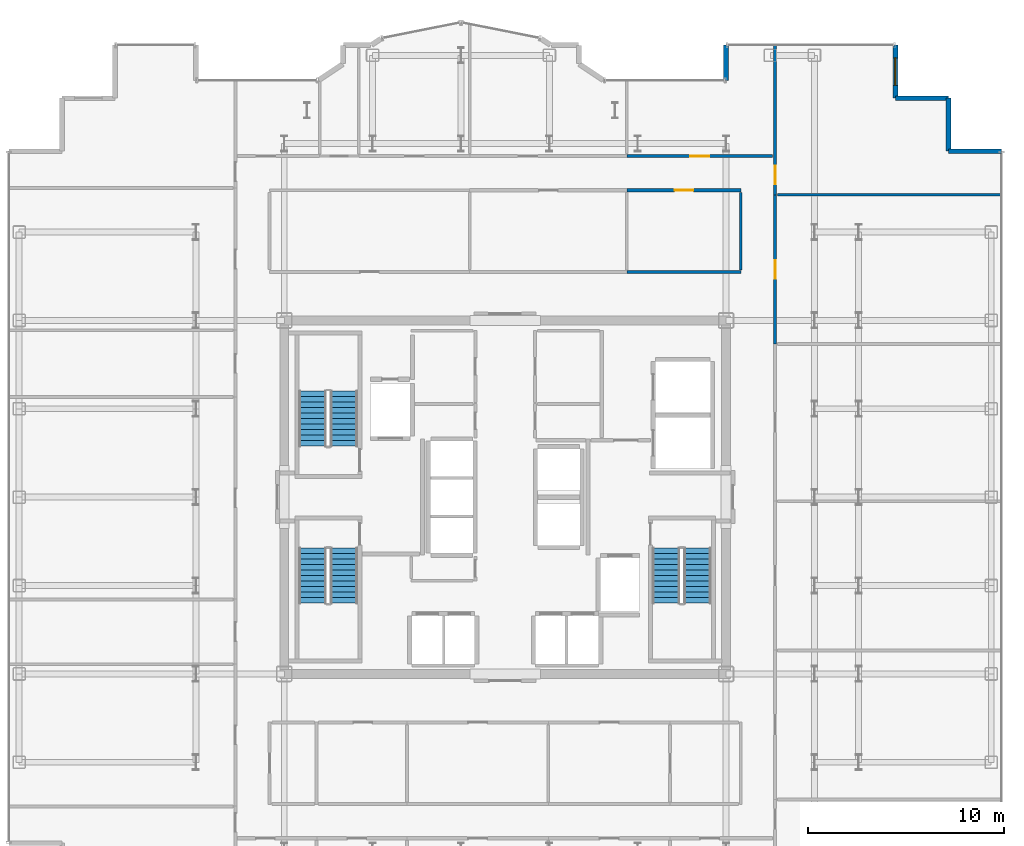
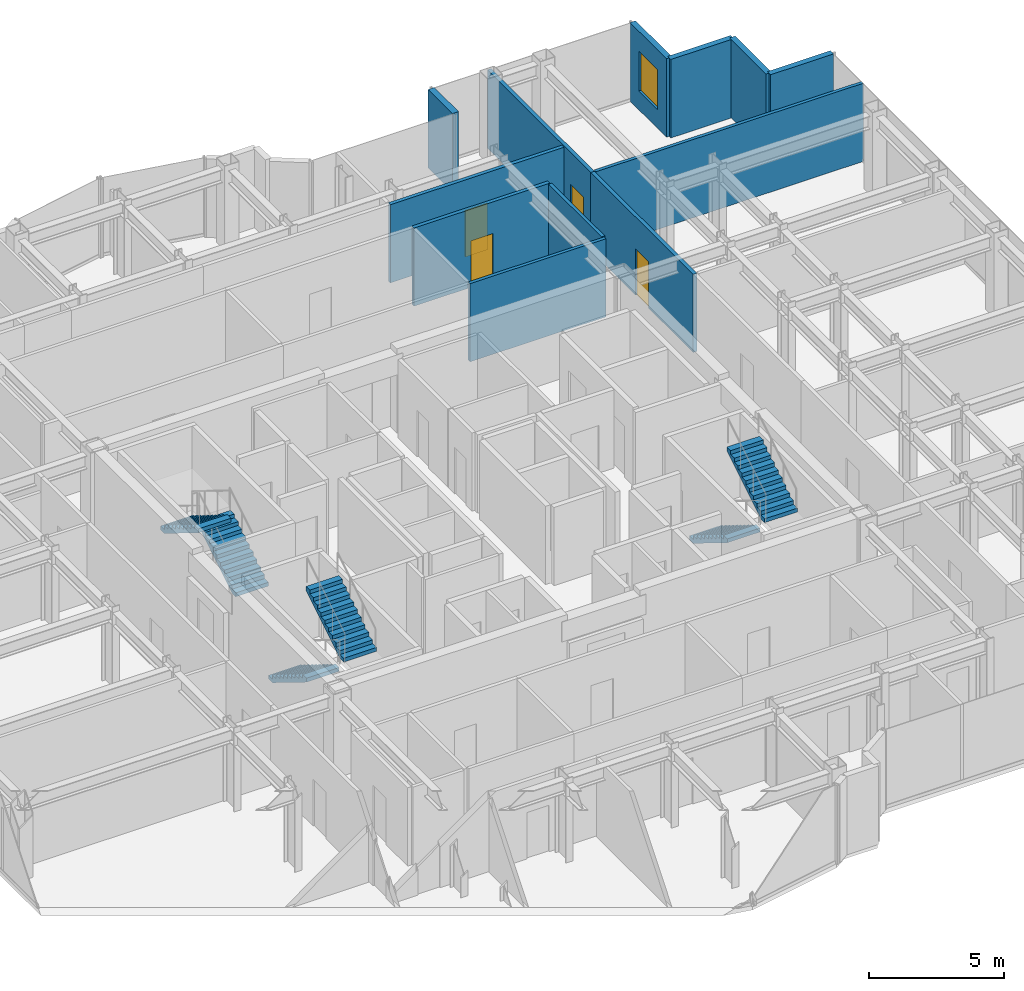
# One storey, part 19 of 20: 12 walls, 6 stair flights, 4 doors, 1 window, 5 openings, 3 elements without a shape of their own.
"""IFC4 building model written with IfcOpenShell, lengths in metres."""

from ifc_helpers import new_model, si_unit, direction, frame, frame_2d, origin, place, context, subcontext, project, spatial, polyline, rectangle, outline, extrude, source, transform, mapped, material, layer, layer_set, type_object, element, fill, aggregate, save


model = new_model("IFC4")

# Units and contexts
model_context = context("Model", 3, precision=1e-05, world=origin(), true_north=direction((0.0, 1.0)))
body_context = subcontext(model_context, "Body", "Model", "MODEL_VIEW")
ifc_project = project(units=[si_unit("LENGTHUNIT", "METRE"), si_unit("AREAUNIT", "SQUARE_METRE"), si_unit("VOLUMEUNIT", "CUBIC_METRE"), si_unit("PLANEANGLEUNIT", "RADIAN"), si_unit("MASSUNIT", "GRAM", prefix="KILO")], contexts=[model_context])

# Site, building, storey
site_placement = place(None, origin())
site = spatial("IfcSite", under=ifc_project, at=site_placement, CompositionType="ELEMENT")
building_placement = place(site_placement, origin())
building = spatial("IfcBuilding", under=site, at=building_placement, Name="Nefas-Gora Pilgrimage Tower", CompositionType="ELEMENT")
storey_placement = place(building_placement, frame((0.0, 0.0, 237.0)))
storey = spatial("IfcBuildingStorey", under=building, at=storey_placement, Name="L59", CompositionType="ELEMENT", Elevation=237.0)

# Walls
ifc_material_1 = material(Name="Precast concrete C40/50", Category="concrete")
ifc_layer_1 = layer(ifc_material_1, 0.260009765625)
ifc_layer_set_1 = layer_set([ifc_layer_1], Name="Precast concrete C40/50")
wall_type_1 = type_object("IfcWallType", Name="EW-PORTAL-260", PredefinedType="SOLIDWALL", material=ifc_layer_set_1)
shared_shape_1 = source(origin(), body_context, "Body", "SweptSolid", [
    extrude(rectangle(XDim=1.800048828125, YDim=0.260009765625, at=frame_2d((0.89990234375, 0.0))), origin(), (0.0, 0.0, 1.0), 3.550048828125),
])
wall_1_placement = place(storey_placement, frame((11.25, 23.02001953125, 0.0), z_axis=(0.0, 0.0, 1.0), x_axis=(0.0, -1.0, 0.0)))
element("IfcWall", 1, at=wall_1_placement, inside=storey, type_object=wall_type_1, Name="L59 Lobe Shoulder Precast Spandrel Pier 10", PredefinedType="SOLIDWALL", context=body_context, shape_type="MappedRepresentation", body=[
    mapped(shared_shape_1, transform((0.0, 0.0, 0.0), x_axis=(1.0, 0.0, 0.0), y_axis=(0.0, 1.0, 0.0), z_axis=(0.0, 0.0, 1.0), scale=1.0)),
])
ifc_material_2 = material(Name="Precast concrete C45/55", Category="concrete")
ifc_layer_2 = layer(ifc_material_2, 0.239990234375)
ifc_layer_set_2 = layer_set([ifc_layer_2], Name="Precast concrete C45/55")
wall_type_2 = type_object("IfcWallType", Name="EW-SERR-240", PredefinedType="SHEAR", material=ifc_layer_set_2)
shared_shape_2 = source(origin(), body_context, "Body", "SweptSolid", [
    extrude(rectangle(XDim=2.699951171875, YDim=0.239990234375, at=frame_2d((1.35009765625, 0.0))), origin(), (0.0, 0.0, 1.0), 3.550048828125),
])
for number, where, z_axis, x_axis, name in (
    (2, (25.27001953125, 17.6201171875, 0.0), (0.0, 0.0, 1.0), (-1.0, 0.0, 0.0), "L59 Serrated Corner Shear Pier Wall 6"),
    (3, (22.570068359375, 17.6201171875, 0.0), (0.0, 0.0, 1.0), (0.0, 1.0, 0.0), "L59 Serrated Corner Shear Pier Wall 7"),
    (4, (22.570068359375, 20.320068359375, 0.0), (0.0, 0.0, 1.0), (-1.0, 0.0, 0.0), "L59 Serrated Corner Shear Pier Wall 8"),
):
    element("IfcWall", number, at=place(storey_placement, frame(where, z_axis=z_axis, x_axis=x_axis)), inside=storey, type_object=wall_type_2, Name=name, PredefinedType="SHEAR", context=body_context, shape_type="MappedRepresentation", body=[
        mapped(shared_shape_2, transform((0.0, 0.0, 0.0), x_axis=(1.0, 0.0, 0.0), y_axis=(0.0, 1.0, 0.0), z_axis=(0.0, 0.0, 1.0), scale=1.0)),
    ])

# Wall, opening, window
wall_2_placement = place(storey_placement, frame((19.8701171875, 20.320068359375, 0.0), z_axis=(0.0, 0.0, 1.0), x_axis=(0.0, 1.0, 0.0)))
wall_2 = element("IfcWall", 5, at=wall_2_placement, inside=storey, type_object=wall_type_2, Name="L59 Serrated Corner Shear Pier Wall 9", PredefinedType="SHEAR", context=body_context, shape_type="MappedRepresentation", body=[
    mapped(shared_shape_2, transform((0.0, 0.0, 0.0), x_axis=(1.0, 0.0, 0.0), y_axis=(0.0, 1.0, 0.0), z_axis=(0.0, 0.0, 1.0), scale=1.0)),
])
opening_1_placement = place(wall_2_placement, frame((0.64990234375, 0.0, 0.85009765625)))
opening_1 = element("IfcOpeningElement", 6, at=opening_1_placement, cuts=wall_2, Name="Opening W-V2", PredefinedType="OPENING", context=body_context, shape_type="SweptSolid", body=[
    extrude(rectangle(XDim=1.39990234375, YDim=1.800048828125, at=frame_2d((0.699951171875, 0.89990234375))), frame((0.0, 0.1298828125, 0.0), z_axis=(0.0, -1.0, 0.0), x_axis=(1.0, 0.0, 0.0)), (0.0, 0.0, 1.0), 0.260009765625),
])
ifc_material_3 = material(Name="Dark ceramic-fritted operable aluminium-glass window", Category="aluminium")
window_type = type_object("IfcWindowType", Name="WIN-VENT-1400x1800", PartitioningType="SINGLE_PANEL", PredefinedType="WINDOW", material=ifc_material_3)
shared_shape_3 = source(origin(), body_context, "Body", "SweptSolid", [
    extrude(rectangle(XDim=1.39990234375, YDim=1.800048828125, at=frame_2d((0.699951171875, 0.89990234375))), frame((0.0, 0.030029296875, 0.0), z_axis=(0.0, -1.0, 0.0), x_axis=(1.0, 0.0, 0.0)), (0.0, 0.0, 1.0), 0.06005859375),
])
window_placement = place(opening_1_placement, origin())
window = element("IfcWindow", 7, at=window_placement, inside=storey, type_object=window_type, Name="L59 Operable Parallel-Outswing Window 9", OverallHeight=1.800048828125, OverallWidth=1.39990234375, PartitioningType="SINGLE_PANEL", PredefinedType="WINDOW", context=body_context, shape_type="MappedRepresentation", body=[
    mapped(shared_shape_3, transform((0.0, 0.0, 0.0), x_axis=(1.0, 0.0, 0.0), y_axis=(0.0, 1.0, 0.0), z_axis=(0.0, 0.0, 1.0), scale=1.0)),
])
fill(opening_1, window)

# Walls
ifc_material_4 = material(Name="Gypsum twin-stud partition")
ifc_layer_3 = layer(ifc_material_4, 0.139892578125)
ifc_layer_set_3 = layer_set([ifc_layer_3], Name="Gypsum twin-stud partition")
wall_type_3 = type_object("IfcWallType", Name="IW-UNIT-140", PredefinedType="PARTITIONING", material=ifc_layer_set_3)
shared_shape_4 = source(origin(), body_context, "Body", "SweptSolid", [
    extrude(rectangle(XDim=11.429931640625, YDim=0.139892578125, at=frame_2d((5.71484375, 0.0))), origin(), (0.0, 0.0, 1.0), 3.534912109375),
])
wall_3_placement = place(storey_placement, frame((13.860107421875, 15.3974609375, 0.0), z_axis=(0.0, 0.0, 1.0), x_axis=(1.0, 0.0, 0.0)))
element("IfcWall", 8, at=wall_3_placement, inside=storey, type_object=wall_type_3, Name="L59 Pilgrim Contemplative Lounge Partition Wall 54", PredefinedType="PARTITIONING", context=body_context, shape_type="MappedRepresentation", body=[
    mapped(shared_shape_4, transform((0.0, 0.0, 0.0), x_axis=(1.0, 0.0, 0.0), y_axis=(0.0, 1.0, 0.0), z_axis=(0.0, 0.0, 1.0), scale=1.0)),
])
shared_shape_5 = source(origin(), body_context, "Body", "SweptSolid", [
    extrude(rectangle(XDim=3.929931640625, YDim=0.139892578125, at=frame_2d((1.96484375, 0.0))), origin(), (0.0, 0.0, 1.0), 3.534912109375),
])
wall_4_placement = place(storey_placement, frame((12.0, 11.580078125, 0.0), z_axis=(0.0, 0.0, 1.0), x_axis=(0.0, 1.0, 0.0)))
element("IfcWall", 9, at=wall_4_placement, inside=storey, type_object=wall_type_3, Name="L59 Pilgrim Contemplative Lounge Partition Wall 71", PredefinedType="PARTITIONING", context=body_context, shape_type="MappedRepresentation", body=[
    mapped(shared_shape_5, transform((0.0, 0.0, 0.0), x_axis=(1.0, 0.0, 0.0), y_axis=(0.0, 1.0, 0.0), z_axis=(0.0, 0.0, 1.0), scale=1.0)),
])

# Wall, opening, door
ifc_material_5 = material(Name="Gypsum acoustic stud partition")
ifc_layer_4 = layer(ifc_material_5, 0.159912109375)
ifc_layer_set_4 = layer_set([ifc_layer_4], Name="Gypsum acoustic stud partition")
wall_type_4 = type_object("IfcWallType", Name="IW-CORR-160", PredefinedType="PARTITIONING", material=ifc_layer_set_4)
shared_shape_6 = source(origin(), body_context, "Body", "SweptSolid", [
    extrude(rectangle(XDim=7.652587890625, YDim=0.159912109375, at=frame_2d((3.826171875, 0.0))), origin(), (0.0, 0.0, 1.0), 3.534912109375),
])
wall_5_placement = place(storey_placement, frame((13.739990234375, 15.387451171875, 0.0), z_axis=(0.0, 0.0, 1.0), x_axis=(0.0, 1.0, 0.0)))
wall_5 = element("IfcWall", 10, at=wall_5_placement, inside=storey, type_object=wall_type_4, Name="L59 Pilgrim Contemplative Lounge Partition Wall 53", PredefinedType="PARTITIONING", context=body_context, shape_type="MappedRepresentation", body=[
    mapped(shared_shape_6, transform((0.0, 0.0, 0.0), x_axis=(1.0, 0.0, 0.0), y_axis=(0.0, 1.0, 0.0), z_axis=(0.0, 0.0, 1.0), scale=1.0)),
])
opening_2_placement = place(wall_5_placement, frame((0.536376953125, 0.0, 0.0)))
opening_2 = element("IfcOpeningElement", 11, at=opening_2_placement, cuts=wall_5, Name="Opening ID-GR1", PredefinedType="OPENING", context=body_context, shape_type="SweptSolid", body=[
    extrude(rectangle(XDim=0.949951171875, YDim=2.10009765625, at=frame_2d((0.47509765625, 1.050048828125))), frame((0.0, 0.08984375, 0.0), z_axis=(0.0, -1.0, 0.0), x_axis=(1.0, 0.0, 0.0)), (0.0, 0.0, 1.0), 0.179931640625),
])
ifc_material_6 = material(Name="Solid core oak fire-rated guest entrance door")
door_type = type_object("IfcDoorType", Name="DR-INT-GUEST-950", OperationType="NOTDEFINED", PredefinedType="DOOR", material=ifc_material_6)
shared_shape_7 = source(origin(), body_context, "Body", "SweptSolid", [
    extrude(rectangle(XDim=0.949951171875, YDim=2.10009765625, at=frame_2d((0.47509765625, 1.050048828125))), frame((0.0, 0.02490234375, 0.0), z_axis=(0.0, -1.0, 0.0), x_axis=(1.0, 0.0, 0.0)), (0.0, 0.0, 1.0), 0.050048828125),
])
door_1_placement = place(opening_2_placement, origin())
door_1 = element("IfcDoor", 12, at=door_1_placement, inside=storey, type_object=door_type, Name="L59 Pilgrim Contemplative Lounge Door 24", OperationType="SINGLE_SWING_RIGHT", OverallHeight=2.10009765625, OverallWidth=0.949951171875, PredefinedType="DOOR", context=body_context, shape_type="MappedRepresentation", body=[
    mapped(shared_shape_7, transform((0.0, 0.0, 0.0), x_axis=(1.0, 0.0, 0.0), y_axis=(0.0, 1.0, 0.0), z_axis=(0.0, 0.0, 1.0), scale=1.0)),
])
fill(opening_2, door_1)

shared_shape_8 = source(origin(), body_context, "Body", "SweptSolid", [
    extrude(rectangle(XDim=7.592529296875, YDim=0.159912109375, at=frame_2d((3.79638671875, 0.0))), origin(), (0.0, 0.0, 1.0), 3.534912109375),
])
wall_6_placement = place(storey_placement, frame((13.739990234375, 7.794921875, 0.0), z_axis=(0.0, 0.0, 1.0), x_axis=(0.0, 1.0, 0.0)))
wall_6 = element("IfcWall", 13, at=wall_6_placement, inside=storey, type_object=wall_type_4, Name="L59 Pilgrim Contemplative Lounge Partition Wall 55", PredefinedType="PARTITIONING", context=body_context, shape_type="MappedRepresentation", body=[
    mapped(shared_shape_8, transform((0.0, 0.0, 0.0), x_axis=(1.0, 0.0, 0.0), y_axis=(0.0, 1.0, 0.0), z_axis=(0.0, 0.0, 1.0), scale=1.0)),
])
opening_3_placement = place(wall_6_placement, frame((3.3212890625, 0.0, 0.0)))
opening_3 = element("IfcOpeningElement", 14, at=opening_3_placement, cuts=wall_6, Name="Opening ID-GR1", PredefinedType="OPENING", context=body_context, shape_type="SweptSolid", body=[
    extrude(rectangle(XDim=0.949951171875, YDim=2.10009765625, at=frame_2d((0.47509765625, 1.050048828125))), frame((0.0, 0.08984375, 0.0), z_axis=(0.0, -1.0, 0.0), x_axis=(1.0, 0.0, 0.0)), (0.0, 0.0, 1.0), 0.179931640625),
])
door_2_placement = place(opening_3_placement, origin())
door_2 = element("IfcDoor", 15, at=door_2_placement, inside=storey, type_object=door_type, Name="L59 Pilgrim Contemplative Lounge Door 25", OperationType="SINGLE_SWING_LEFT", OverallHeight=2.10009765625, OverallWidth=0.949951171875, PredefinedType="DOOR", context=body_context, shape_type="MappedRepresentation", body=[
    mapped(shared_shape_7, transform((0.0, 0.0, 0.0), x_axis=(1.0, 0.0, 0.0), y_axis=(0.0, 1.0, 0.0), z_axis=(0.0, 0.0, 1.0), scale=1.0)),
])
fill(opening_3, door_2)

shared_shape_9 = source(origin(), body_context, "Body", "SweptSolid", [
    extrude(rectangle(XDim=7.425048828125, YDim=0.159912109375, at=frame_2d((3.71240234375, 0.0))), origin(), (0.0, 0.0, 1.0), 3.534912109375),
])
wall_7_placement = place(storey_placement, frame((6.195068359375, 17.3701171875, 0.0), z_axis=(0.0, 0.0, 1.0), x_axis=(1.0, 0.0, 0.0)))
wall_7 = element("IfcWall", 16, at=wall_7_placement, inside=storey, type_object=wall_type_4, Name="L59 Pilgrim Contemplative Lounge Partition Wall 68", PredefinedType="PARTITIONING", context=body_context, shape_type="MappedRepresentation", body=[
    mapped(shared_shape_9, transform((0.0, 0.0, 0.0), x_axis=(1.0, 0.0, 0.0), y_axis=(0.0, 1.0, 0.0), z_axis=(0.0, 0.0, 1.0), scale=1.0)),
])
opening_4_placement = place(wall_7_placement, frame((3.237548828125, 0.0, 0.0)))
opening_4 = element("IfcOpeningElement", 17, at=opening_4_placement, cuts=wall_7, Name="Opening ID-GR1", PredefinedType="OPENING", context=body_context, shape_type="SweptSolid", body=[
    extrude(rectangle(XDim=0.949951171875, YDim=2.10009765625, at=frame_2d((0.47509765625, 1.050048828125))), frame((0.0, 0.08984375, 0.0), z_axis=(0.0, -1.0, 0.0), x_axis=(1.0, 0.0, 0.0)), (0.0, 0.0, 1.0), 0.179931640625),
])
door_3_placement = place(opening_4_placement, origin())
door_3 = element("IfcDoor", 18, at=door_3_placement, inside=storey, type_object=door_type, Name="L59 Pilgrim Contemplative Lounge Door 31", OperationType="SINGLE_SWING_LEFT", OverallHeight=2.10009765625, OverallWidth=0.949951171875, PredefinedType="DOOR", context=body_context, shape_type="MappedRepresentation", body=[
    mapped(shared_shape_7, transform((0.0, 0.0, 0.0), x_axis=(1.0, 0.0, 0.0), y_axis=(0.0, 1.0, 0.0), z_axis=(0.0, 0.0, 1.0), scale=1.0)),
])
fill(opening_4, door_3)

shared_shape_10 = source(origin(), body_context, "Body", "SweptSolid", [
    extrude(rectangle(XDim=5.81494140625, YDim=0.159912109375, at=frame_2d((2.907470703125, 0.0))), origin(), (0.0, 0.0, 1.0), 3.534912109375),
])
wall_8_placement = place(storey_placement, frame((6.195068359375, 15.6298828125, 0.0), z_axis=(0.0, 0.0, 1.0), x_axis=(1.0, 0.0, 0.0)))
wall_8 = element("IfcWall", 19, at=wall_8_placement, inside=storey, type_object=wall_type_4, Name="L59 Pilgrim Contemplative Lounge Partition Wall 69", PredefinedType="PARTITIONING", context=body_context, shape_type="MappedRepresentation", body=[
    mapped(shared_shape_10, transform((0.0, 0.0, 0.0), x_axis=(1.0, 0.0, 0.0), y_axis=(0.0, 1.0, 0.0), z_axis=(0.0, 0.0, 1.0), scale=1.0)),
])
opening_5_placement = place(wall_8_placement, frame((2.4326171875, 0.0, 0.0)))
opening_5 = element("IfcOpeningElement", 20, at=opening_5_placement, cuts=wall_8, Name="Opening ID-GR1", PredefinedType="OPENING", context=body_context, shape_type="SweptSolid", body=[
    extrude(rectangle(XDim=0.949951171875, YDim=2.10009765625, at=frame_2d((0.47509765625, 1.050048828125))), frame((0.0, 0.08984375, 0.0), z_axis=(0.0, -1.0, 0.0), x_axis=(1.0, 0.0, 0.0)), (0.0, 0.0, 1.0), 0.179931640625),
])
door_4_placement = place(opening_5_placement, origin())
door_4 = element("IfcDoor", 21, at=door_4_placement, inside=storey, type_object=door_type, Name="L59 Pilgrim Contemplative Lounge Door 32", OperationType="SINGLE_SWING_RIGHT", OverallHeight=2.10009765625, OverallWidth=0.949951171875, PredefinedType="DOOR", context=body_context, shape_type="MappedRepresentation", body=[
    mapped(shared_shape_7, transform((0.0, 0.0, 0.0), x_axis=(1.0, 0.0, 0.0), y_axis=(0.0, 1.0, 0.0), z_axis=(0.0, 0.0, 1.0), scale=1.0)),
])
fill(opening_5, door_4)

# Wall
shared_shape_11 = source(origin(), body_context, "Body", "SweptSolid", [
    extrude(rectangle(XDim=5.81494140625, YDim=0.139892578125, at=frame_2d((2.907470703125, 0.0))), origin(), (0.0, 0.0, 1.0), 3.534912109375),
])
wall_9_placement = place(storey_placement, frame((6.195068359375, 11.469970703125, 0.0), z_axis=(0.0, 0.0, 1.0), x_axis=(1.0, 0.0, 0.0)))
element("IfcWall", 22, at=wall_9_placement, inside=storey, type_object=wall_type_3, Name="L59 Pilgrim Contemplative Lounge Partition Wall 70", PredefinedType="PARTITIONING", context=body_context, shape_type="MappedRepresentation", body=[
    mapped(shared_shape_11, transform((0.0, 0.0, 0.0), x_axis=(1.0, 0.0, 0.0), y_axis=(0.0, 1.0, 0.0), z_axis=(0.0, 0.0, 1.0), scale=1.0)),
])

# Stair, stair flights
ifc_material_7 = material(Name="Concrete C45/55", Category="concrete")
stair_type = type_object("IfcStairType", Name="STR-1400-R1727", PredefinedType="HALF_TURN_STAIR", material=ifc_material_7)
stair_1_placement = place(storey_placement, origin())
stair_1 = element("IfcStair", 23, at=stair_1_placement, inside=storey, type_object=stair_type, Name="L59 Pressurised Tower Exit Stair ST-01", PredefinedType="HALF_TURN_STAIR")
stair_flight_type = type_object("IfcStairFlightType", Name="STF-1400-R1727", PredefinedType="STRAIGHT", material=ifc_material_7)
shared_shape_12 = source(origin(), body_context, "Body", "SweptSolid", [
    extrude(outline(polyline([(0.0, 0.0), (0.0, 0.172607421875), (0.280029296875, 0.172607421875), (0.280029296875, 0.345458984375), (0.56005859375, 0.345458984375), (0.56005859375, 0.51806640625), (0.840087890625, 0.51806640625), (0.840087890625, 0.69091796875), (1.1201171875, 0.69091796875), (1.1201171875, 0.863525390625), (1.39990234375, 0.863525390625), (1.39990234375, 1.036376953125), (1.679931640625, 1.036376953125), (1.679931640625, 1.208984375), (1.9599609375, 1.208984375), (1.9599609375, 1.3818359375), (2.239990234375, 1.3818359375), (2.239990234375, 1.554443359375), (2.52001953125, 1.554443359375), (2.52001953125, 1.727294921875), (2.800048828125, 1.727294921875), (2.800048828125, 1.89990234375), (2.800048828125, 1.551025390625), (0.285400390625, 0.0), (0.0, 0.0)])), frame((0.0, 0.699951171875, 0.0), z_axis=(0.0, -1.0, 0.0), x_axis=(1.0, 0.0, 0.0)), (0.0, 0.0, 1.0), 1.39990234375),
])
stair_flight_1_placement = place(storey_placement, frame((-8.199951171875, 2.60009765625, 0.0), z_axis=(0.0, 0.0, 1.0), x_axis=(0.0, 1.0, 0.0)))
stair_flight_1 = element("IfcStairFlight", 24, at=stair_flight_1_placement, type_object=stair_flight_type, Name="ST-01 flight 1", NumberOfRisers=11, NumberOfTreads=10, PredefinedType="STRAIGHT", RiserHeight=0.172727273, TreadLength=0.28, context=body_context, shape_type="MappedRepresentation", body=[
    mapped(shared_shape_12, transform((0.0, 0.0, 0.0), x_axis=(1.0, 0.0, 0.0), y_axis=(0.0, 1.0, 0.0), z_axis=(0.0, 0.0, 1.0), scale=1.0)),
])
stair_flight_2_placement = place(storey_placement, frame((-9.800048828125, 5.39990234375, 1.89990234375), z_axis=(0.0, 0.0, 1.0), x_axis=(0.0, -1.0, 0.0)))
stair_flight_2 = element("IfcStairFlight", 25, at=stair_flight_2_placement, type_object=stair_flight_type, Name="ST-01 flight 2", NumberOfRisers=11, NumberOfTreads=10, PredefinedType="STRAIGHT", RiserHeight=0.172727273, TreadLength=0.28, context=body_context, shape_type="MappedRepresentation", body=[
    mapped(shared_shape_12, transform((0.0, 0.0, 0.0), x_axis=(1.0, 0.0, 0.0), y_axis=(0.0, 1.0, 0.0), z_axis=(0.0, 0.0, 1.0), scale=1.0)),
])
aggregate(stair_1, [stair_flight_1, stair_flight_2])

stair_2_placement = place(storey_placement, origin())
stair_2 = element("IfcStair", 26, at=stair_2_placement, inside=storey, type_object=stair_type, Name="L59 Pressurised Tower Exit Stair ST-02", PredefinedType="HALF_TURN_STAIR")
stair_flight_3_placement = place(storey_placement, frame((8.199951171875, -2.60009765625, 0.0), z_axis=(0.0, 0.0, 1.0), x_axis=(0.0, -1.0, 0.0)))
stair_flight_3 = element("IfcStairFlight", 27, at=stair_flight_3_placement, type_object=stair_flight_type, Name="ST-02 flight 1", NumberOfRisers=11, NumberOfTreads=10, PredefinedType="STRAIGHT", RiserHeight=0.172727273, TreadLength=0.28, context=body_context, shape_type="MappedRepresentation", body=[
    mapped(shared_shape_12, transform((0.0, 0.0, 0.0), x_axis=(1.0, 0.0, 0.0), y_axis=(0.0, 1.0, 0.0), z_axis=(0.0, 0.0, 1.0), scale=1.0)),
])
stair_flight_4_placement = place(storey_placement, frame((9.800048828125, -5.39990234375, 1.89990234375), z_axis=(0.0, 0.0, 1.0), x_axis=(0.0, 1.0, 0.0)))
stair_flight_4 = element("IfcStairFlight", 28, at=stair_flight_4_placement, type_object=stair_flight_type, Name="ST-02 flight 2", NumberOfRisers=11, NumberOfTreads=10, PredefinedType="STRAIGHT", RiserHeight=0.172727273, TreadLength=0.28, context=body_context, shape_type="MappedRepresentation", body=[
    mapped(shared_shape_12, transform((0.0, 0.0, 0.0), x_axis=(1.0, 0.0, 0.0), y_axis=(0.0, 1.0, 0.0), z_axis=(0.0, 0.0, 1.0), scale=1.0)),
])
aggregate(stair_2, [stair_flight_3, stair_flight_4])

stair_3_placement = place(storey_placement, origin())
stair_3 = element("IfcStair", 29, at=stair_3_placement, inside=storey, type_object=stair_type, Name="L59 Pressurised Tower Exit Stair ST-03", PredefinedType="HALF_TURN_STAIR")
stair_flight_5_placement = place(storey_placement, frame((-9.800048828125, -2.60009765625, 0.0), z_axis=(0.0, 0.0, 1.0), x_axis=(0.0, -1.0, 0.0)))
stair_flight_5 = element("IfcStairFlight", 30, at=stair_flight_5_placement, type_object=stair_flight_type, Name="ST-03 flight 1", NumberOfRisers=11, NumberOfTreads=10, PredefinedType="STRAIGHT", RiserHeight=0.172727273, TreadLength=0.28, context=body_context, shape_type="MappedRepresentation", body=[
    mapped(shared_shape_12, transform((0.0, 0.0, 0.0), x_axis=(1.0, 0.0, 0.0), y_axis=(0.0, 1.0, 0.0), z_axis=(0.0, 0.0, 1.0), scale=1.0)),
])
stair_flight_6_placement = place(storey_placement, frame((-8.199951171875, -5.39990234375, 1.89990234375), z_axis=(0.0, 0.0, 1.0), x_axis=(0.0, 1.0, 0.0)))
stair_flight_6 = element("IfcStairFlight", 31, at=stair_flight_6_placement, type_object=stair_flight_type, Name="ST-03 flight 2", NumberOfRisers=11, NumberOfTreads=10, PredefinedType="STRAIGHT", RiserHeight=0.172727273, TreadLength=0.28, context=body_context, shape_type="MappedRepresentation", body=[
    mapped(shared_shape_12, transform((0.0, 0.0, 0.0), x_axis=(1.0, 0.0, 0.0), y_axis=(0.0, 1.0, 0.0), z_axis=(0.0, 0.0, 1.0), scale=1.0)),
])
aggregate(stair_3, [stair_flight_5, stair_flight_6])

save(model, "model.ifc")
